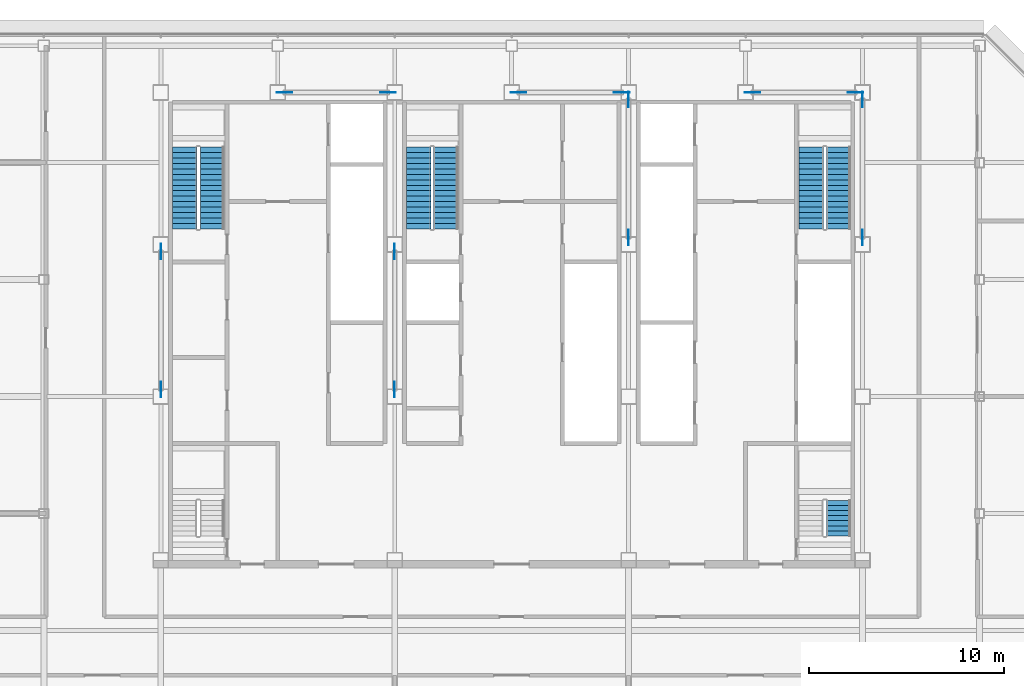
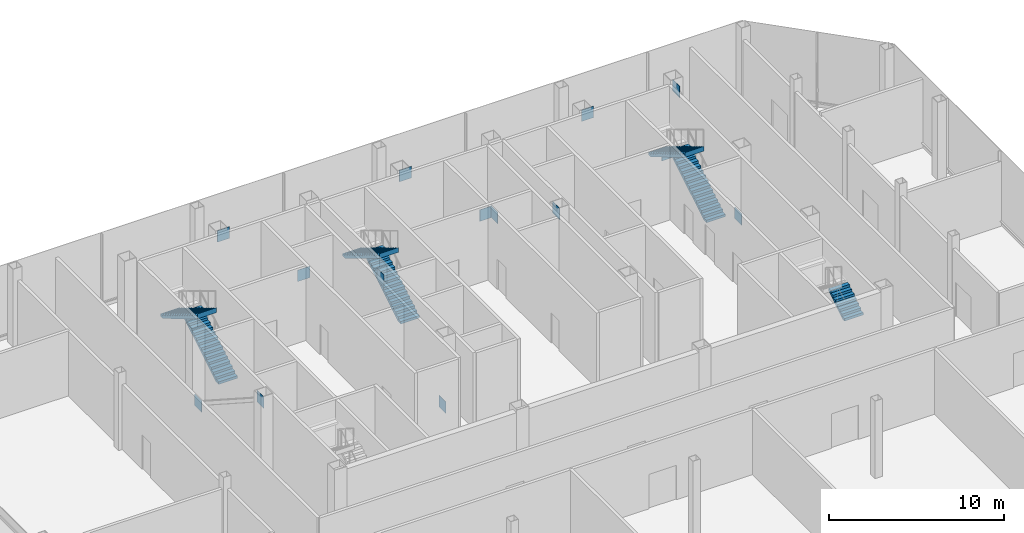
# One storey, part 23 of 26: 14 discrete accessories, 7 stair flights, 4 elements without a shape of their own.
"""IFC4 building model written with IfcOpenShell, lengths in metres."""

from ifc_helpers import new_model, si_unit, direction, frame, origin, origin_2d, place, context, subcontext, project, spatial, polyline, rectangle, outline, extrude, material, layer, layer_set, type_object, element, aggregate, save


model = new_model("IFC4")

# Units and contexts
model_context = context("Model", 3, precision=1e-05, world=origin(), true_north=direction((0.0, 1.0)))
body_context = subcontext(model_context, "Body", "Model", "MODEL_VIEW")
ifc_project = project(units=[si_unit("LENGTHUNIT", "METRE"), si_unit("AREAUNIT", "SQUARE_METRE"), si_unit("VOLUMEUNIT", "CUBIC_METRE"), si_unit("PLANEANGLEUNIT", "RADIAN"), si_unit("MASSUNIT", "GRAM", prefix="KILO")], contexts=[model_context])

# Site, building, storey
site_placement = place(None, origin())
site = spatial("IfcSite", under=ifc_project, at=site_placement, CompositionType="ELEMENT")
building_placement = place(site_placement, origin())
building = spatial("IfcBuilding", under=site, at=building_placement, Name="Sorahane Residences", CompositionType="ELEMENT")
storey_placement = place(building_placement, frame((0.0, 0.0, 257.60009765625)))
storey = spatial("IfcBuildingStorey", under=building, at=storey_placement, Name="L61", CompositionType="ELEMENT", Elevation=257.60009765625)

# Stair, stair flights
ifc_material_1 = material(Name="Concrete C40", Category="concrete")
stair_type = type_object("IfcStairType", Name="Dog-leg stair 1250 Concrete C40", PredefinedType="HALF_TURN_STAIR", material=ifc_material_1)
stair_1_placement = place(storey_placement, origin())
stair_1 = element("IfcStair", 1, at=stair_1_placement, inside=storey, type_object=stair_type, Name="L61 Stair S1", PredefinedType="HALF_TURN_STAIR")
ifc_material_2 = material(Name="Concrete C40", Category="concrete")
stair_flight_type = type_object("IfcStairFlightType", Name="Stair flight 1250 Concrete C40", PredefinedType="STRAIGHT", material=ifc_material_2)
stair_flight_1_placement = place(storey_placement, frame((8.625, 38.60009765625, 0.0), z_axis=(0.0, 0.0, 1.0), x_axis=(0.0, 1.0, 0.0)))
stair_flight_1 = element("IfcStairFlight", 2, at=stair_flight_1_placement, type_object=stair_flight_type, Name="S1 flight 1", NumberOfRisers=16, NumberOfTreads=15, PredefinedType="STRAIGHT", RiserHeight=0.16875, TreadLength=0.28, context=body_context, shape_type="SweptSolid", body=[
    extrude(outline(polyline([(-0.00146484375, 0.0), (-0.00146484375, 0.168701171875), (0.0, 0.168701171875), (0.280029296875, 0.168701171875), (0.280029296875, 0.33740234375), (0.56005859375, 0.33740234375), (0.56005859375, 0.50634765625), (0.840087890625, 0.50634765625), (0.840087890625, 0.675048828125), (1.1201171875, 0.675048828125), (1.1201171875, 0.84375), (1.39990234375, 0.84375), (1.39990234375, 1.012451171875), (1.679931640625, 1.012451171875), (1.679931640625, 1.18115234375), (1.9599609375, 1.18115234375), (1.9599609375, 1.35009765625), (2.239990234375, 1.35009765625), (2.239990234375, 1.518798828125), (2.52001953125, 1.518798828125), (2.52001953125, 1.6875), (2.800048828125, 1.6875), (2.800048828125, 1.856201171875), (3.080078125, 1.856201171875), (3.080078125, 2.02490234375), (3.360107421875, 2.02490234375), (3.360107421875, 2.19384765625), (3.639892578125, 2.19384765625), (3.639892578125, 2.362548828125), (3.919921875, 2.362548828125), (3.919921875, 2.53125), (4.199951171875, 2.53125), (4.199951171875, 2.699951171875), (4.199951171875, 2.356201171875), (3.969970703125, 2.217529296875), (3.739990234375, 2.0791015625), (3.510009765625, 1.9404296875), (3.280029296875, 1.8017578125), (3.050048828125, 1.663330078125), (2.820068359375, 1.524658203125), (2.590087890625, 1.385986328125), (2.360107421875, 1.247314453125), (2.130126953125, 1.10888671875), (1.900146484375, 0.97021484375), (1.670166015625, 0.83154296875), (1.440185546875, 0.693115234375), (1.210205078125, 0.554443359375), (0.980224609375, 0.415771484375), (0.750244140625, 0.277099609375), (0.520263671875, 0.138671875), (0.29052734375, 0.0), (-0.00146484375, 0.0)])), frame((0.0, 0.625, 0.0), z_axis=(0.0, -1.0, 0.0), x_axis=(1.0, 0.0, 0.0)), (0.0, 0.0, 1.0), 1.25),
])
stair_flight_2_placement = place(storey_placement, frame((7.22509765625, 42.800048828125, 2.699951171875), z_axis=(0.0, 0.0, 1.0), x_axis=(0.0, -1.0, 0.0)))
stair_flight_2 = element("IfcStairFlight", 3, at=stair_flight_2_placement, type_object=stair_flight_type, Name="S1 flight 2", NumberOfRisers=16, NumberOfTreads=15, PredefinedType="STRAIGHT", RiserHeight=0.16875, TreadLength=0.28, context=body_context, shape_type="SweptSolid", body=[
    extrude(outline(polyline([(0.0, 0.0), (0.0, 0.168701171875), (0.280029296875, 0.168701171875), (0.280029296875, 0.33740234375), (0.56005859375, 0.33740234375), (0.56005859375, 0.50634765625), (0.840087890625, 0.50634765625), (0.840087890625, 0.675048828125), (1.1201171875, 0.675048828125), (1.1201171875, 0.84375), (1.39990234375, 0.84375), (1.39990234375, 1.012451171875), (1.679931640625, 1.012451171875), (1.679931640625, 1.18115234375), (1.9599609375, 1.18115234375), (1.9599609375, 1.35009765625), (2.239990234375, 1.35009765625), (2.239990234375, 1.518798828125), (2.52001953125, 1.518798828125), (2.52001953125, 1.6875), (2.800048828125, 1.6875), (2.800048828125, 1.856201171875), (3.080078125, 1.856201171875), (3.080078125, 2.02490234375), (3.360107421875, 2.02490234375), (3.360107421875, 2.19384765625), (3.639892578125, 2.19384765625), (3.639892578125, 2.362548828125), (3.919921875, 2.362548828125), (3.919921875, 2.53125), (4.199951171875, 2.53125), (4.199951171875, 2.699951171875), (4.201416015625, 2.699951171875), (4.201416015625, 2.356201171875), (3.971435546875, 2.217529296875), (3.741455078125, 2.0791015625), (3.51123046875, 1.9404296875), (3.28125, 1.8017578125), (3.05126953125, 1.663330078125), (2.821044921875, 1.524658203125), (2.591064453125, 1.385986328125), (2.361083984375, 1.247314453125), (2.130859375, 1.10888671875), (1.90087890625, 0.97021484375), (1.6708984375, 0.83154296875), (1.440673828125, 0.693115234375), (1.210693359375, 0.554443359375), (0.980712890625, 0.415771484375), (0.75048828125, 0.277099609375), (0.5205078125, 0.138671875), (0.29052734375, 0.0), (0.0, 0.0)])), frame((0.0, 0.625, 0.0), z_axis=(0.0, -1.0, 0.0), x_axis=(1.0, 0.0, 0.0)), (0.0, 0.0, 1.0), 1.25),
])
aggregate(stair_1, [stair_flight_1, stair_flight_2])

stair_2_placement = place(storey_placement, origin())
stair_2 = element("IfcStair", 4, at=stair_2_placement, inside=storey, type_object=stair_type, Name="L61 Stair S2", PredefinedType="HALF_TURN_STAIR")
stair_flight_3_placement = place(storey_placement, frame((40.77490234375, 38.60009765625, 0.0), z_axis=(0.0, 0.0, 1.0), x_axis=(0.0, 1.0, 0.0)))
stair_flight_3 = element("IfcStairFlight", 5, at=stair_flight_3_placement, type_object=stair_flight_type, Name="S2 flight 1", NumberOfRisers=16, NumberOfTreads=15, PredefinedType="STRAIGHT", RiserHeight=0.16875, TreadLength=0.28, context=body_context, shape_type="SweptSolid", body=[
    extrude(outline(polyline([(-0.00146484375, 0.0), (-0.00146484375, 0.168701171875), (0.0, 0.168701171875), (0.280029296875, 0.168701171875), (0.280029296875, 0.33740234375), (0.56005859375, 0.33740234375), (0.56005859375, 0.50634765625), (0.840087890625, 0.50634765625), (0.840087890625, 0.675048828125), (1.1201171875, 0.675048828125), (1.1201171875, 0.84375), (1.39990234375, 0.84375), (1.39990234375, 1.012451171875), (1.679931640625, 1.012451171875), (1.679931640625, 1.18115234375), (1.9599609375, 1.18115234375), (1.9599609375, 1.35009765625), (2.239990234375, 1.35009765625), (2.239990234375, 1.518798828125), (2.52001953125, 1.518798828125), (2.52001953125, 1.6875), (2.800048828125, 1.6875), (2.800048828125, 1.856201171875), (3.080078125, 1.856201171875), (3.080078125, 2.02490234375), (3.360107421875, 2.02490234375), (3.360107421875, 2.19384765625), (3.639892578125, 2.19384765625), (3.639892578125, 2.362548828125), (3.919921875, 2.362548828125), (3.919921875, 2.53125), (4.199951171875, 2.53125), (4.199951171875, 2.699951171875), (4.199951171875, 2.356201171875), (3.969970703125, 2.217529296875), (3.739990234375, 2.0791015625), (3.510009765625, 1.9404296875), (3.280029296875, 1.8017578125), (3.050048828125, 1.663330078125), (2.820068359375, 1.524658203125), (2.590087890625, 1.385986328125), (2.360107421875, 1.247314453125), (2.130126953125, 1.10888671875), (1.900146484375, 0.97021484375), (1.670166015625, 0.83154296875), (1.440185546875, 0.693115234375), (1.210205078125, 0.554443359375), (0.980224609375, 0.415771484375), (0.750244140625, 0.277099609375), (0.520263671875, 0.138671875), (0.29052734375, 0.0), (-0.00146484375, 0.0)])), frame((0.0, 0.625, 0.0), z_axis=(0.0, -1.0, 0.0), x_axis=(1.0, 0.0, 0.0)), (0.0, 0.0, 1.0), 1.25),
])
stair_flight_4_placement = place(storey_placement, frame((39.375, 42.800048828125, 2.699951171875), z_axis=(0.0, 0.0, 1.0), x_axis=(0.0, -1.0, 0.0)))
stair_flight_4 = element("IfcStairFlight", 6, at=stair_flight_4_placement, type_object=stair_flight_type, Name="S2 flight 2", NumberOfRisers=16, NumberOfTreads=15, PredefinedType="STRAIGHT", RiserHeight=0.16875, TreadLength=0.28, context=body_context, shape_type="SweptSolid", body=[
    extrude(outline(polyline([(0.0, 0.0), (0.0, 0.168701171875), (0.280029296875, 0.168701171875), (0.280029296875, 0.33740234375), (0.56005859375, 0.33740234375), (0.56005859375, 0.50634765625), (0.840087890625, 0.50634765625), (0.840087890625, 0.675048828125), (1.1201171875, 0.675048828125), (1.1201171875, 0.84375), (1.39990234375, 0.84375), (1.39990234375, 1.012451171875), (1.679931640625, 1.012451171875), (1.679931640625, 1.18115234375), (1.9599609375, 1.18115234375), (1.9599609375, 1.35009765625), (2.239990234375, 1.35009765625), (2.239990234375, 1.518798828125), (2.52001953125, 1.518798828125), (2.52001953125, 1.6875), (2.800048828125, 1.6875), (2.800048828125, 1.856201171875), (3.080078125, 1.856201171875), (3.080078125, 2.02490234375), (3.360107421875, 2.02490234375), (3.360107421875, 2.19384765625), (3.639892578125, 2.19384765625), (3.639892578125, 2.362548828125), (3.919921875, 2.362548828125), (3.919921875, 2.53125), (4.199951171875, 2.53125), (4.199951171875, 2.699951171875), (4.201416015625, 2.699951171875), (4.201416015625, 2.356201171875), (3.971435546875, 2.217529296875), (3.741455078125, 2.0791015625), (3.51123046875, 1.9404296875), (3.28125, 1.8017578125), (3.05126953125, 1.663330078125), (2.821044921875, 1.524658203125), (2.591064453125, 1.385986328125), (2.361083984375, 1.247314453125), (2.130859375, 1.10888671875), (1.90087890625, 0.97021484375), (1.6708984375, 0.83154296875), (1.440673828125, 0.693115234375), (1.210693359375, 0.554443359375), (0.980712890625, 0.415771484375), (0.75048828125, 0.277099609375), (0.5205078125, 0.138671875), (0.29052734375, 0.0), (0.0, 0.0)])), frame((0.0, 0.625, 0.0), z_axis=(0.0, -1.0, 0.0), x_axis=(1.0, 0.0, 0.0)), (0.0, 0.0, 1.0), 1.25),
])
aggregate(stair_2, [stair_flight_3, stair_flight_4])

stair_3_placement = place(storey_placement, origin())
stair_3 = element("IfcStair", 7, at=stair_3_placement, inside=storey, type_object=stair_type, Name="L61 Stair S3", PredefinedType="HALF_TURN_STAIR")
stair_flight_5_placement = place(storey_placement, frame((20.625, 38.60009765625, 0.0), z_axis=(0.0, 0.0, 1.0), x_axis=(0.0, 1.0, 0.0)))
stair_flight_5 = element("IfcStairFlight", 8, at=stair_flight_5_placement, type_object=stair_flight_type, Name="S3 flight 1", NumberOfRisers=16, NumberOfTreads=15, PredefinedType="STRAIGHT", RiserHeight=0.16875, TreadLength=0.28, context=body_context, shape_type="SweptSolid", body=[
    extrude(outline(polyline([(-0.00146484375, 0.0), (-0.00146484375, 0.168701171875), (0.0, 0.168701171875), (0.280029296875, 0.168701171875), (0.280029296875, 0.33740234375), (0.56005859375, 0.33740234375), (0.56005859375, 0.50634765625), (0.840087890625, 0.50634765625), (0.840087890625, 0.675048828125), (1.1201171875, 0.675048828125), (1.1201171875, 0.84375), (1.39990234375, 0.84375), (1.39990234375, 1.012451171875), (1.679931640625, 1.012451171875), (1.679931640625, 1.18115234375), (1.9599609375, 1.18115234375), (1.9599609375, 1.35009765625), (2.239990234375, 1.35009765625), (2.239990234375, 1.518798828125), (2.52001953125, 1.518798828125), (2.52001953125, 1.6875), (2.800048828125, 1.6875), (2.800048828125, 1.856201171875), (3.080078125, 1.856201171875), (3.080078125, 2.02490234375), (3.360107421875, 2.02490234375), (3.360107421875, 2.19384765625), (3.639892578125, 2.19384765625), (3.639892578125, 2.362548828125), (3.919921875, 2.362548828125), (3.919921875, 2.53125), (4.199951171875, 2.53125), (4.199951171875, 2.699951171875), (4.199951171875, 2.356201171875), (3.969970703125, 2.217529296875), (3.739990234375, 2.0791015625), (3.510009765625, 1.9404296875), (3.280029296875, 1.8017578125), (3.050048828125, 1.663330078125), (2.820068359375, 1.524658203125), (2.590087890625, 1.385986328125), (2.360107421875, 1.247314453125), (2.130126953125, 1.10888671875), (1.900146484375, 0.97021484375), (1.670166015625, 0.83154296875), (1.440185546875, 0.693115234375), (1.210205078125, 0.554443359375), (0.980224609375, 0.415771484375), (0.750244140625, 0.277099609375), (0.520263671875, 0.138671875), (0.29052734375, 0.0), (-0.00146484375, 0.0)])), frame((0.0, 0.625, 0.0), z_axis=(0.0, -1.0, 0.0), x_axis=(1.0, 0.0, 0.0)), (0.0, 0.0, 1.0), 1.25),
])
stair_flight_6_placement = place(storey_placement, frame((19.22509765625, 42.800048828125, 2.699951171875), z_axis=(0.0, 0.0, 1.0), x_axis=(0.0, -1.0, 0.0)))
stair_flight_6 = element("IfcStairFlight", 9, at=stair_flight_6_placement, type_object=stair_flight_type, Name="S3 flight 2", NumberOfRisers=16, NumberOfTreads=15, PredefinedType="STRAIGHT", RiserHeight=0.16875, TreadLength=0.28, context=body_context, shape_type="SweptSolid", body=[
    extrude(outline(polyline([(0.0, 0.0), (0.0, 0.168701171875), (0.280029296875, 0.168701171875), (0.280029296875, 0.33740234375), (0.56005859375, 0.33740234375), (0.56005859375, 0.50634765625), (0.840087890625, 0.50634765625), (0.840087890625, 0.675048828125), (1.1201171875, 0.675048828125), (1.1201171875, 0.84375), (1.39990234375, 0.84375), (1.39990234375, 1.012451171875), (1.679931640625, 1.012451171875), (1.679931640625, 1.18115234375), (1.9599609375, 1.18115234375), (1.9599609375, 1.35009765625), (2.239990234375, 1.35009765625), (2.239990234375, 1.518798828125), (2.52001953125, 1.518798828125), (2.52001953125, 1.6875), (2.800048828125, 1.6875), (2.800048828125, 1.856201171875), (3.080078125, 1.856201171875), (3.080078125, 2.02490234375), (3.360107421875, 2.02490234375), (3.360107421875, 2.19384765625), (3.639892578125, 2.19384765625), (3.639892578125, 2.362548828125), (3.919921875, 2.362548828125), (3.919921875, 2.53125), (4.199951171875, 2.53125), (4.199951171875, 2.699951171875), (4.201416015625, 2.699951171875), (4.201416015625, 2.356201171875), (3.971435546875, 2.217529296875), (3.741455078125, 2.0791015625), (3.51123046875, 1.9404296875), (3.28125, 1.8017578125), (3.05126953125, 1.663330078125), (2.821044921875, 1.524658203125), (2.591064453125, 1.385986328125), (2.361083984375, 1.247314453125), (2.130859375, 1.10888671875), (1.90087890625, 0.97021484375), (1.6708984375, 0.83154296875), (1.440673828125, 0.693115234375), (1.210693359375, 0.554443359375), (0.980712890625, 0.415771484375), (0.75048828125, 0.277099609375), (0.5205078125, 0.138671875), (0.29052734375, 0.0), (0.0, 0.0)])), frame((0.0, 0.625, 0.0), z_axis=(0.0, -1.0, 0.0), x_axis=(1.0, 0.0, 0.0)), (0.0, 0.0, 1.0), 1.25),
])
aggregate(stair_3, [stair_flight_5, stair_flight_6])

# Stair, stair flight
stair_4_placement = place(storey_placement, origin())
stair_4 = element("IfcStair", 10, at=stair_4_placement, inside=storey, type_object=stair_type, Name="L61 Stair S5", PredefinedType="HALF_TURN_STAIR")
stair_flight_7_placement = place(storey_placement, frame((40.77490234375, 22.85009765625, 2.699951171875), z_axis=(0.0, 0.0, 1.0), x_axis=(0.0, 1.0, 0.0)))
stair_flight_7 = element("IfcStairFlight", 11, at=stair_flight_7_placement, type_object=stair_flight_type, Name="S5 flight 3", NumberOfRisers=8, NumberOfTreads=7, PredefinedType="STRAIGHT", RiserHeight=0.16875, TreadLength=0.26, context=body_context, shape_type="SweptSolid", body=[
    extrude(outline(polyline([(0.0, 0.0), (0.0, 0.002197265625), (0.0, 0.004150390625), (0.0, 0.00634765625), (0.0, 0.00830078125), (0.0, 0.010498046875), (0.0, 0.012451171875), (0.0, 0.0146484375), (0.0, 0.0166015625), (0.0, 0.018798828125), (0.0, 0.020751953125), (0.0, 0.02294921875), (0.0, 0.02490234375), (0.0, 0.027099609375), (0.0, 0.029052734375), (0.0, 0.03125), (0.0, 0.033447265625), (0.0, 0.035400390625), (0.0, 0.03759765625), (0.0, 0.03955078125), (0.0, 0.041748046875), (0.0, 0.043701171875), (0.0, 0.0458984375), (0.0, 0.0478515625), (0.0, 0.050048828125), (0.0, 0.052001953125), (0.0, 0.05419921875), (0.0, 0.05615234375), (0.0, 0.058349609375), (0.0, 0.060302734375), (0.0, 0.0625), (0.0, 0.064697265625), (0.0, 0.066650390625), (0.0, 0.06884765625), (0.0, 0.07080078125), (0.0, 0.072998046875), (0.0, 0.074951171875), (0.0, 0.0771484375), (0.0, 0.0791015625), (0.0, 0.081298828125), (0.0, 0.083251953125), (0.0, 0.08544921875), (0.0, 0.08740234375), (0.0, 0.089599609375), (0.0, 0.091552734375), (0.0, 0.09375), (0.0, 0.095947265625), (0.0, 0.097900390625), (0.0, 0.10009765625), (0.0, 0.10205078125), (0.0, 0.104248046875), (0.0, 0.106201171875), (0.0, 0.1083984375), (0.0, 0.1103515625), (0.0, 0.112548828125), (0.0, 0.114501953125), (0.0, 0.11669921875), (0.0, 0.11865234375), (0.0, 0.120849609375), (0.0, 0.122802734375), (0.0, 0.125), (0.0, 0.127197265625), (0.0, 0.129150390625), (0.0, 0.13134765625), (0.0, 0.13330078125), (0.0, 0.135498046875), (0.0, 0.137451171875), (0.0, 0.1396484375), (0.0, 0.1416015625), (0.0, 0.143798828125), (0.0, 0.145751953125), (0.0, 0.14794921875), (0.0, 0.14990234375), (0.0, 0.152099609375), (0.0, 0.154052734375), (0.0, 0.15625), (0.0, 0.158447265625), (0.0, 0.160400390625), (0.0, 0.16259765625), (0.0, 0.16455078125), (0.0, 0.166748046875), (0.0, 0.168701171875), (0.260009765625, 0.168701171875), (0.260009765625, 0.33740234375), (0.52001953125, 0.33740234375), (0.52001953125, 0.50634765625), (0.780029296875, 0.50634765625), (0.780029296875, 0.675048828125), (1.0400390625, 0.675048828125), (1.0400390625, 0.84375), (1.300048828125, 0.84375), (1.300048828125, 1.012451171875), (1.56005859375, 1.012451171875), (1.56005859375, 1.18115234375), (1.820068359375, 1.18115234375), (1.820068359375, 1.35009765625), (1.820068359375, 1.34619140625), (1.820068359375, 1.34228515625), (1.820068359375, 1.33837890625), (1.820068359375, 1.334716796875), (1.820068359375, 1.330810546875), (1.820068359375, 1.326904296875), (1.820068359375, 1.322998046875), (1.820068359375, 1.319091796875), (1.820068359375, 1.3154296875), (1.820068359375, 1.3115234375), (1.820068359375, 1.3076171875), (1.820068359375, 1.3037109375), (1.820068359375, 1.300048828125), (1.820068359375, 1.296142578125), (1.820068359375, 1.292236328125), (1.820068359375, 1.288330078125), (1.820068359375, 1.284423828125), (1.820068359375, 1.28076171875), (1.820068359375, 1.27685546875), (1.820068359375, 1.27294921875), (1.820068359375, 1.26904296875), (1.820068359375, 1.265380859375), (1.820068359375, 1.261474609375), (1.820068359375, 1.257568359375), (1.820068359375, 1.253662109375), (1.820068359375, 1.249755859375), (1.820068359375, 1.24609375), (1.820068359375, 1.2421875), (1.820068359375, 1.23828125), (1.820068359375, 1.234375), (1.820068359375, 1.230712890625), (1.820068359375, 1.226806640625), (1.820068359375, 1.222900390625), (1.820068359375, 1.218994140625), (1.820068359375, 1.215087890625), (1.820068359375, 1.21142578125), (1.820068359375, 1.20751953125), (1.820068359375, 1.20361328125), (1.820068359375, 1.19970703125), (1.820068359375, 1.196044921875), (1.820068359375, 1.192138671875), (1.820068359375, 1.188232421875), (1.820068359375, 1.184326171875), (1.820068359375, 1.1806640625), (1.820068359375, 1.1767578125), (1.820068359375, 1.1728515625), (1.820068359375, 1.1689453125), (1.820068359375, 1.1650390625), (1.820068359375, 1.161376953125), (1.820068359375, 1.157470703125), (1.820068359375, 1.153564453125), (1.820068359375, 1.149658203125), (1.820068359375, 1.14599609375), (1.820068359375, 1.14208984375), (1.820068359375, 1.13818359375), (1.820068359375, 1.13427734375), (1.820068359375, 1.13037109375), (1.820068359375, 1.126708984375), (1.820068359375, 1.122802734375), (1.820068359375, 1.118896484375), (1.820068359375, 1.114990234375), (1.820068359375, 1.111328125), (1.820068359375, 1.107421875), (1.820068359375, 1.103515625), (1.820068359375, 1.099609375), (1.820068359375, 1.095703125), (1.820068359375, 1.092041015625), (1.820068359375, 1.088134765625), (1.820068359375, 1.084228515625), (1.820068359375, 1.080322265625), (1.820068359375, 1.07666015625), (1.820068359375, 1.07275390625), (1.820068359375, 1.06884765625), (1.820068359375, 1.06494140625), (1.820068359375, 1.061279296875), (1.820068359375, 1.057373046875), (1.820068359375, 1.053466796875), (1.820068359375, 1.049560546875), (1.820068359375, 1.045654296875), (1.820068359375, 1.0419921875), (1.820068359375, 1.0380859375), (1.6201171875, 0.908203125), (1.420166015625, 0.778564453125), (1.22021484375, 0.648681640625), (1.020263671875, 0.51904296875), (0.8203125, 0.38916015625), (0.620361328125, 0.259521484375), (0.420654296875, 0.129638671875), (0.220703125, 0.0), (0.0, 0.0)])), frame((0.0, 0.625, 0.0), z_axis=(0.0, -1.0, 0.0), x_axis=(1.0, 0.0, 0.0)), (0.0, 0.0, 1.0), 1.25),
])
aggregate(stair_4, [stair_flight_7])

# Discrete accessories
ifc_material_3 = material(Name="Steel Q355B", Category="steel")
ifc_layer = layer(ifc_material_3, 0.02490234375)
ifc_layer_set = layer_set([ifc_layer], Name="Node plate Steel Q355B 25")
discrete_accessory_type = type_object("IfcDiscreteAccessoryType", Name="Node plate Steel Q355B 25", PredefinedType="BRACKET", material=ifc_layer_set)
for number, where, z_axis, x_axis, name in (
    (12, (6.0, 37.440673828125, -0.30126953125), (0.0, 0.0, 1.0), (0.0, 1.0, 0.0), "Node plate L61 br"),
    (13, (6.0, 30.359375, 4.27099609375), (0.0, 0.0, 1.0), (0.0, 1.0, 0.0), "Node plate L61 br"),
    (14, (18.0, 30.359375, -0.30126953125), (0.0, 0.0, 1.0), (0.0, 1.0, 0.0), "Node plate L61 br"),
    (15, (18.0, 37.440673828125, 4.27099609375), (0.0, 0.0, 1.0), (0.0, 1.0, 0.0), "Node plate L61 br"),
    (16, (30.0, 45.24072265625, -0.30126953125), (0.0, 0.0, 1.0), (0.0, 1.0, 0.0), "Node plate L61 br"),
    (17, (30.0, 38.1591796875, 4.27099609375), (0.0, 0.0, 1.0), (0.0, 1.0, 0.0), "Node plate L61 br"),
    (18, (42.0, 38.1591796875, -0.30126953125), (0.0, 0.0, 1.0), (0.0, 1.0, 0.0), "Node plate L61 br"),
    (19, (42.0, 45.24072265625, 4.27099609375), (0.0, 0.0, 1.0), (0.0, 1.0, 0.0), "Node plate L61 br"),
    (20, (17.649169921875, 45.60009765625, -0.31787109375), (0.0, 0.0, 1.0), (1.0, 0.0, 0.0), "Node plate L61 br"),
    (21, (29.649169921875, 45.60009765625, -0.31787109375), (0.0, 0.0, 1.0), (1.0, 0.0, 0.0), "Node plate L61 br"),
    (22, (41.649169921875, 45.60009765625, -0.31787109375), (0.0, 0.0, 1.0), (1.0, 0.0, 0.0), "Node plate L61 br"),
    (23, (12.350830078125, 45.60009765625, 4.28759765625), (0.0, 0.0, 1.0), (1.0, 0.0, 0.0), "Node plate L61 br"),
    (24, (24.350830078125, 45.60009765625, 4.28759765625), (0.0, 0.0, 1.0), (1.0, 0.0, 0.0), "Node plate L61 br"),
    (25, (36.350830078125, 45.60009765625, 4.28759765625), (0.0, 0.0, 1.0), (1.0, 0.0, 0.0), "Node plate L61 br"),
):
    element("IfcDiscreteAccessory", number, at=place(storey_placement, frame(where, z_axis=z_axis, x_axis=x_axis)), inside=storey, type_object=discrete_accessory_type, Name=name, PredefinedType="BRACKET", context=body_context, shape_type="SweptSolid", body=[
        extrude(rectangle(XDim=0.800048828125, YDim=0.02490234375, at=origin_2d()), origin(), (0.0, 0.0, 1.0), 0.800048828125),
    ])

save(model, "model.ifc")
